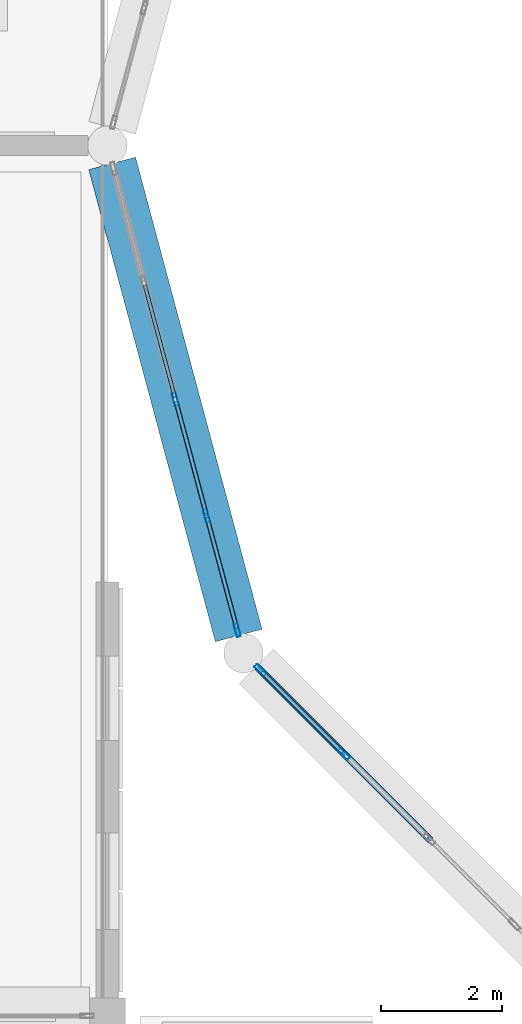
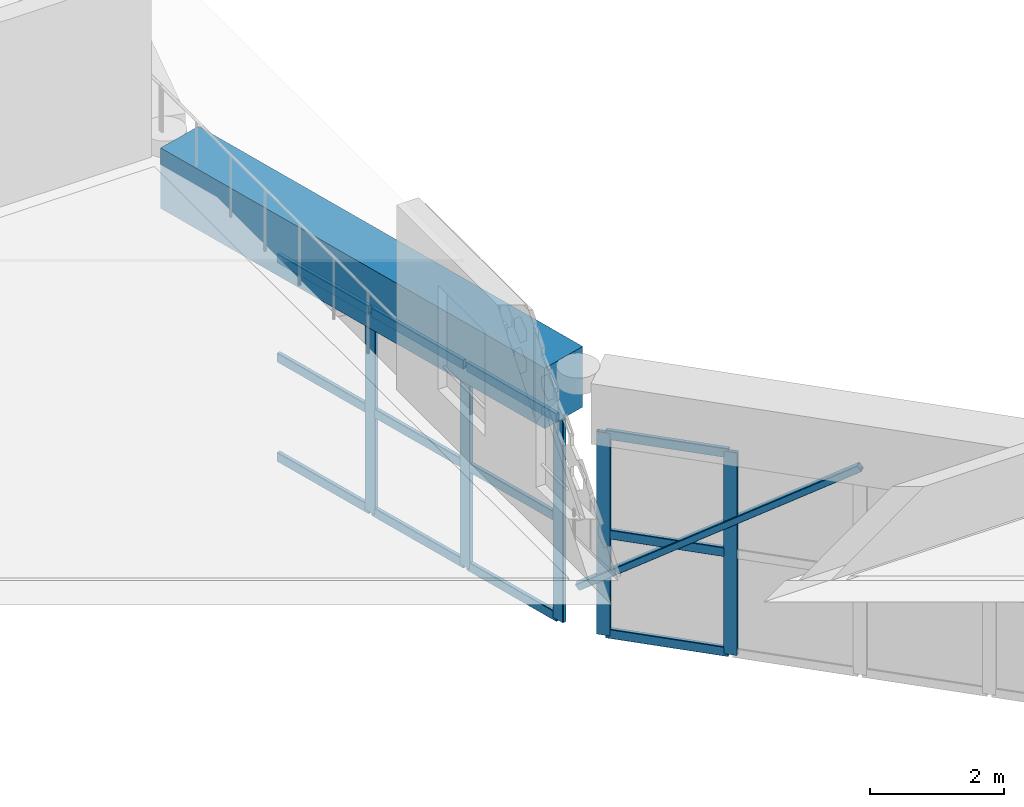
# One storey, part 15 of 48: 18 members, 1 beam, 2 elements without a shape of their own.
"""IFC4 building model written with IfcOpenShell, lengths in metres."""

from ifc_helpers import new_model, si_unit, derived_unit, direction, frame, origin, origin_2d, place, context, subcontext, project, spatial, rectangle, hollow_rectangle, extrude, material, material_profile, profile_set, type_object, element, aggregate, save


model = new_model("IFC4")

# Units and contexts
model_context = context("Model", 3, precision=1e-05, world=origin(), true_north=direction((0.0, 1.0)))
body_context = subcontext(model_context, "Body", "Model", "MODEL_VIEW")
ifc_project = project(units=[si_unit("LENGTHUNIT", "METRE"), si_unit("AREAUNIT", "SQUARE_METRE"), si_unit("VOLUMEUNIT", "CUBIC_METRE"), si_unit("PLANEANGLEUNIT", "RADIAN"), si_unit("MASSUNIT", "GRAM", prefix="KILO"), derived_unit("THERMALTRANSMITTANCEUNIT", [(si_unit("POWERUNIT", "WATT"), 1), (si_unit("LENGTHUNIT", "METRE"), -2), (si_unit("THERMODYNAMICTEMPERATUREUNIT", "KELVIN"), -1)])], contexts=[model_context])

# Site, building, storey
site_placement = place(None, origin())
site = spatial("IfcSite", under=ifc_project, at=site_placement, CompositionType="ELEMENT")
building_placement = place(site_placement, origin())
building = spatial("IfcBuilding", under=site, at=building_placement, Name="Veybourne Emporium", CompositionType="ELEMENT")
storey_placement = place(building_placement, frame((0.0, 0.0, 27.89990234375)))
storey = spatial("IfcBuildingStorey", under=building, at=storey_placement, Name="L06", CompositionType="ELEMENT", Elevation=27.89990234375)

# Curtain wall, members
ifc_material_1 = material(Name="Patinated Architectural Bronze", Category="bronze")
curtain_wall_type_1 = type_object("IfcCurtainWallType", Name="CWSystem_CWS-27", PredefinedType="NOTDEFINED", material=ifc_material_1)
curtain_wall_1_placement = place(storey_placement, origin())
curtain_wall_1 = element("IfcCurtainWall", 1, at=curtain_wall_1_placement, inside=storey, type_object=curtain_wall_type_1, Name="Atrium drum clerestory curtain wall 07", PredefinedType="NOTDEFINED")
ifc_material_profile_1 = material_profile(ifc_material_1, hollow_rectangle(XDim=0.070068359375, YDim=0.219970703125, WallThickness=0.0048828125, InnerFilletRadius=0.007568359375, OuterFilletRadius=0.012451171875, at=origin_2d()), Name="CWM 70x220x5")
ifc_profile_set_1 = profile_set([ifc_material_profile_1], Name="Patinated Architectural Bronze")
member_type_1 = type_object("IfcMemberType", Name="CWMullion_CW-M4", PredefinedType="MULLION", material=ifc_profile_set_1)
member_1_placement = place(storey_placement, frame((59.92529296875, 46.199951171875, -4.5), z_axis=(0.0, 0.0, 1.0), x_axis=(0.965925678069, 0.258819598266, 0.0)))
member_1 = element("IfcMember", 2, at=member_1_placement, type_object=member_type_1, Name="CWS-27 mullion 3", PredefinedType="MULLION", context=body_context, shape_type="SweptSolid", body=[
    extrude(hollow_rectangle(XDim=0.070068359375, YDim=0.219970703125, WallThickness=0.0048828125, InnerFilletRadius=0.007568359375, OuterFilletRadius=0.012451171875, at=origin_2d()), origin(), (0.0, 0.0, 1.0), 3.68017578125),
])
member_2_placement = place(storey_placement, frame((60.44140625, 44.27392578125, -4.5), z_axis=(0.0, 0.0, 1.0), x_axis=(0.965925678069, 0.258819598266, 0.0)))
member_2 = element("IfcMember", 3, at=member_2_placement, type_object=member_type_1, Name="CWS-27 mullion 4", PredefinedType="MULLION", context=body_context, shape_type="SweptSolid", body=[
    extrude(hollow_rectangle(XDim=0.070068359375, YDim=0.219970703125, WallThickness=0.0048828125, InnerFilletRadius=0.007568359375, OuterFilletRadius=0.012451171875, at=origin_2d()), origin(), (0.0, 0.0, 1.0), 3.68017578125),
])
member_3_placement = place(storey_placement, frame((60.948486328125, 42.381591796875, -4.5), z_axis=(0.0, 0.0, 1.0), x_axis=(0.965925678069, 0.258819598266, 0.0)))
member_3 = element("IfcMember", 4, at=member_3_placement, type_object=member_type_1, Name="CWS-27 mullion 5", PredefinedType="MULLION", context=body_context, shape_type="SweptSolid", body=[
    extrude(hollow_rectangle(XDim=0.070068359375, YDim=0.219970703125, WallThickness=0.0048828125, InnerFilletRadius=0.007568359375, OuterFilletRadius=0.012451171875, at=origin_2d()), origin(), (0.0, 0.0, 1.0), 3.68017578125),
])

curtain_wall_type_2 = type_object("IfcCurtainWallType", Name="CWSystem_CWS-28", PredefinedType="NOTDEFINED", material=ifc_material_1)
curtain_wall_2_placement = place(storey_placement, origin())
curtain_wall_2 = element("IfcCurtainWall", 5, at=curtain_wall_2_placement, inside=storey, type_object=curtain_wall_type_2, Name="Atrium drum clerestory curtain wall 08", PredefinedType="NOTDEFINED")
member_4_placement = place(storey_placement, frame((61.330078125, 41.720703125, -4.5), z_axis=(0.0, 0.0, 1.0), x_axis=(0.707106781187, 0.707106781187, 0.0)))
member_4 = element("IfcMember", 6, at=member_4_placement, type_object=member_type_1, Name="CWS-28 mullion 1", PredefinedType="MULLION", context=body_context, shape_type="SweptSolid", body=[
    extrude(hollow_rectangle(XDim=0.070068359375, YDim=0.219970703125, WallThickness=0.0048828125, InnerFilletRadius=0.007568359375, OuterFilletRadius=0.012451171875, at=origin_2d()), origin(), (0.0, 0.0, 1.0), 3.68017578125),
])
member_5_placement = place(storey_placement, frame((62.71533203125, 40.33544921875, -4.5), z_axis=(0.0, 0.0, 1.0), x_axis=(0.707106781187, 0.707106781187, 0.0)))
member_5 = element("IfcMember", 7, at=member_5_placement, type_object=member_type_1, Name="CWS-28 mullion 2", PredefinedType="MULLION", context=body_context, shape_type="SweptSolid", body=[
    extrude(hollow_rectangle(XDim=0.070068359375, YDim=0.219970703125, WallThickness=0.0048828125, InnerFilletRadius=0.007568359375, OuterFilletRadius=0.012451171875, at=origin_2d()), origin(), (0.0, 0.0, 1.0), 3.68017578125),
])

# Member
ifc_material_profile_2 = material_profile(ifc_material_1, hollow_rectangle(XDim=0.070068359375, YDim=0.169921875, WallThickness=0.0048828125, InnerFilletRadius=0.007568359375, OuterFilletRadius=0.012451171875, at=origin_2d()), Name="CWT 70x170x5")
ifc_profile_set_2 = profile_set([ifc_material_profile_2], Name="Patinated Architectural Bronze")
member_type_2 = type_object("IfcMemberType", Name="CWTransom_CW-T4", PredefinedType="NOTDEFINED", material=ifc_profile_set_2)
member_6_placement = place(storey_placement, frame((59.41845703125, 48.09228515625, -4.46484375), z_axis=(0.258744542548, -0.965945786109, 0.0), x_axis=(0.965945786109, 0.258744542548, 0.0)))
member_6 = element("IfcMember", 8, at=member_6_placement, type_object=member_type_2, Name="CWS-27 transom 2.1", ObjectType="TRANSOM", PredefinedType="USERDEFINED", context=body_context, shape_type="SweptSolid", body=[
    extrude(hollow_rectangle(XDim=0.070068359375, YDim=0.169921875, WallThickness=0.0048828125, InnerFilletRadius=0.007568359375, OuterFilletRadius=0.012451171875, at=origin_2d()), origin(), (0.0, 0.0, 1.0), 1.923828125),
])

member_7_placement = place(storey_placement, frame((59.41845703125, 48.09228515625, -2.659912109375), z_axis=(0.258744542548, -0.965945786109, 0.0), x_axis=(0.965945786109, 0.258744542548, 0.0)))
member_7 = element("IfcMember", 9, at=member_7_placement, type_object=member_type_2, Name="CWS-27 transom 2.2", ObjectType="TRANSOM", PredefinedType="USERDEFINED", context=body_context, shape_type="SweptSolid", body=[
    extrude(hollow_rectangle(XDim=0.070068359375, YDim=0.169921875, WallThickness=0.0048828125, InnerFilletRadius=0.007568359375, OuterFilletRadius=0.012451171875, at=origin_2d()), origin(), (0.0, 0.0, 1.0), 1.923828125),
])

member_8_placement = place(storey_placement, frame((59.41845703125, 48.09228515625, -0.85498046875), z_axis=(0.258744542548, -0.965945786109, 0.0), x_axis=(0.965945786109, 0.258744542548, 0.0)))
member_8 = element("IfcMember", 10, at=member_8_placement, type_object=member_type_2, Name="CWS-27 transom 2.3", ObjectType="TRANSOM", PredefinedType="USERDEFINED", context=body_context, shape_type="SweptSolid", body=[
    extrude(hollow_rectangle(XDim=0.070068359375, YDim=0.169921875, WallThickness=0.0048828125, InnerFilletRadius=0.007568359375, OuterFilletRadius=0.012451171875, at=origin_2d()), origin(), (0.0, 0.0, 1.0), 1.923828125),
])

member_9_placement = place(storey_placement, frame((59.934326171875, 46.166259765625, -4.46484375), z_axis=(0.258831214191, -0.965922565509, 0.0), x_axis=(0.965922565509, 0.258831214191, 0.0)))
member_9 = element("IfcMember", 11, at=member_9_placement, type_object=member_type_2, Name="CWS-27 transom 3.1", ObjectType="TRANSOM", PredefinedType="USERDEFINED", context=body_context, shape_type="SweptSolid", body=[
    extrude(hollow_rectangle(XDim=0.070068359375, YDim=0.169921875, WallThickness=0.0048828125, InnerFilletRadius=0.007568359375, OuterFilletRadius=0.012451171875, at=origin_2d()), origin(), (0.0, 0.0, 1.0), 1.92431640625),
])

member_10_placement = place(storey_placement, frame((59.934326171875, 46.166259765625, -2.659912109375), z_axis=(0.258831214191, -0.965922565509, 0.0), x_axis=(0.965922565509, 0.258831214191, 0.0)))
member_10 = element("IfcMember", 12, at=member_10_placement, type_object=member_type_2, Name="CWS-27 transom 3.2", ObjectType="TRANSOM", PredefinedType="USERDEFINED", context=body_context, shape_type="SweptSolid", body=[
    extrude(hollow_rectangle(XDim=0.070068359375, YDim=0.169921875, WallThickness=0.0048828125, InnerFilletRadius=0.007568359375, OuterFilletRadius=0.012451171875, at=origin_2d()), origin(), (0.0, 0.0, 1.0), 1.92431640625),
])

member_11_placement = place(storey_placement, frame((59.934326171875, 46.166259765625, -0.85498046875), z_axis=(0.258831214191, -0.965922565509, 0.0), x_axis=(0.965922565509, 0.258831214191, 0.0)))
member_11 = element("IfcMember", 13, at=member_11_placement, type_object=member_type_2, Name="CWS-27 transom 3.3", ObjectType="TRANSOM", PredefinedType="USERDEFINED", context=body_context, shape_type="SweptSolid", body=[
    extrude(hollow_rectangle(XDim=0.070068359375, YDim=0.169921875, WallThickness=0.0048828125, InnerFilletRadius=0.007568359375, OuterFilletRadius=0.012451171875, at=origin_2d()), origin(), (0.0, 0.0, 1.0), 1.92431640625),
])

member_12_placement = place(storey_placement, frame((60.450439453125, 44.239990234375, -4.46484375), z_axis=(0.258860974636, -0.965914590329, 0.0), x_axis=(0.965914590329, 0.258860974636, 0.0)))
member_12 = element("IfcMember", 14, at=member_12_placement, type_object=member_type_2, Name="CWS-27 transom 4.1", ObjectType="TRANSOM", PredefinedType="USERDEFINED", context=body_context, shape_type="SweptSolid", body=[
    extrude(hollow_rectangle(XDim=0.070068359375, YDim=0.169921875, WallThickness=0.0048828125, InnerFilletRadius=0.007568359375, OuterFilletRadius=0.012451171875, at=origin_2d()), origin(), (0.0, 0.0, 1.0), 1.88916015625),
])

member_13_placement = place(storey_placement, frame((60.450439453125, 44.239990234375, -2.659912109375), z_axis=(0.258860974636, -0.965914590329, 0.0), x_axis=(0.965914590329, 0.258860974636, 0.0)))
member_13 = element("IfcMember", 15, at=member_13_placement, type_object=member_type_2, Name="CWS-27 transom 4.2", ObjectType="TRANSOM", PredefinedType="USERDEFINED", context=body_context, shape_type="SweptSolid", body=[
    extrude(hollow_rectangle(XDim=0.070068359375, YDim=0.169921875, WallThickness=0.0048828125, InnerFilletRadius=0.007568359375, OuterFilletRadius=0.012451171875, at=origin_2d()), origin(), (0.0, 0.0, 1.0), 1.88916015625),
])

member_14_placement = place(storey_placement, frame((60.450439453125, 44.239990234375, -0.85498046875), z_axis=(0.258860974636, -0.965914590329, 0.0), x_axis=(0.965914590329, 0.258860974636, 0.0)))
member_14 = element("IfcMember", 16, at=member_14_placement, type_object=member_type_2, Name="CWS-27 transom 4.3", ObjectType="TRANSOM", PredefinedType="USERDEFINED", context=body_context, shape_type="SweptSolid", body=[
    extrude(hollow_rectangle(XDim=0.070068359375, YDim=0.169921875, WallThickness=0.0048828125, InnerFilletRadius=0.007568359375, OuterFilletRadius=0.012451171875, at=origin_2d()), origin(), (0.0, 0.0, 1.0), 1.88916015625),
])

aggregate(curtain_wall_1, [member_1, member_2, member_3, member_6, member_7, member_8, member_9, member_10, member_11, member_12, member_13, member_14])

member_15_placement = place(storey_placement, frame((61.354736328125, 41.696044921875, -4.46484375), z_axis=(0.707106781187, -0.707106781187, 0.0), x_axis=(0.707106781187, 0.707106781187, 0.0)))
member_15 = element("IfcMember", 17, at=member_15_placement, type_object=member_type_2, Name="CWS-28 transom 1.1", ObjectType="TRANSOM", PredefinedType="USERDEFINED", context=body_context, shape_type="SweptSolid", body=[
    extrude(hollow_rectangle(XDim=0.070068359375, YDim=0.169921875, WallThickness=0.0048828125, InnerFilletRadius=0.007568359375, OuterFilletRadius=0.012451171875, at=origin_2d()), origin(), (0.0, 0.0, 1.0), 1.889404296875),
])

member_16_placement = place(storey_placement, frame((61.354736328125, 41.696044921875, -2.659912109375), z_axis=(0.707106781187, -0.707106781187, 0.0), x_axis=(0.707106781187, 0.707106781187, 0.0)))
member_16 = element("IfcMember", 18, at=member_16_placement, type_object=member_type_2, Name="CWS-28 transom 1.2", ObjectType="TRANSOM", PredefinedType="USERDEFINED", context=body_context, shape_type="SweptSolid", body=[
    extrude(hollow_rectangle(XDim=0.070068359375, YDim=0.169921875, WallThickness=0.0048828125, InnerFilletRadius=0.007568359375, OuterFilletRadius=0.012451171875, at=origin_2d()), origin(), (0.0, 0.0, 1.0), 1.889404296875),
])

member_17_placement = place(storey_placement, frame((61.354736328125, 41.696044921875, -0.85498046875), z_axis=(0.707106781187, -0.707106781187, 0.0), x_axis=(0.707106781187, 0.707106781187, 0.0)))
member_17 = element("IfcMember", 19, at=member_17_placement, type_object=member_type_2, Name="CWS-28 transom 1.3", ObjectType="TRANSOM", PredefinedType="USERDEFINED", context=body_context, shape_type="SweptSolid", body=[
    extrude(hollow_rectangle(XDim=0.070068359375, YDim=0.169921875, WallThickness=0.0048828125, InnerFilletRadius=0.007568359375, OuterFilletRadius=0.012451171875, at=origin_2d()), origin(), (0.0, 0.0, 1.0), 1.889404296875),
])

aggregate(curtain_wall_2, [member_4, member_5, member_15, member_16, member_17])

# Beam
ifc_material_2 = material(Name="Concrete C40/50", Category="concrete")
ifc_material_profile_3 = material_profile(ifc_material_2, rectangle(XDim=0.800048828125, YDim=1.10009765625, at=origin_2d()), Name="RC 800x1100")
ifc_profile_set_3 = profile_set([ifc_material_profile_3], Name="Concrete C40/50")
beam_type = type_object("IfcBeamType", Name="RCBeam_RB-01", PredefinedType="BEAM", material=ifc_profile_set_3)
beam_placement = place(storey_placement, frame((58.87890625, 50.10546875, -0.25), z_axis=(0.258833171555, -0.965922041007, 0.0), x_axis=(0.965922041007, 0.258833171555, 0.0)))
element("IfcBeam", 20, at=beam_placement, inside=storey, type_object=beam_type, Name="Atrium ring beam RB-01 L06-07", PredefinedType="BEAM", context=body_context, shape_type="SweptSolid", body=[
    extrude(rectangle(XDim=0.800048828125, YDim=1.10009765625, at=origin_2d()), origin(), (0.0, 0.0, 1.0), 8.08642578125),
])

# Member
ifc_material_3 = material(Name="Steel S355", Category="steel")
ifc_material_profile_4 = material_profile(ifc_material_3, hollow_rectangle(XDim=0.1201171875, YDim=0.1201171875, WallThickness=0.00634765625, InnerFilletRadius=0.009521484375, OuterFilletRadius=0.015869140625, at=origin_2d()), Name="SHS 120x120x6.3")
ifc_profile_set_4 = profile_set([ifc_material_profile_4], Name="Steel S355")
member_type_3 = type_object("IfcMemberType", Name="SteelMem_CS-02", PredefinedType="STRUT", material=ifc_profile_set_4)
member_18_placement = place(storey_placement, frame((61.05078125, 42.0, -3.699951171875), z_axis=(0.585155983126, -0.585155983126, 0.561413351128), x_axis=(0.707106781187, 0.707106781187, 0.0)))
element("IfcMember", 21, at=member_18_placement, inside=storey, type_object=member_type_3, Name="Drum clerestory diagonal strut 08", PredefinedType="STRUT", context=body_context, shape_type="SweptSolid", body=[
    extrude(hollow_rectangle(XDim=0.1201171875, YDim=0.1201171875, WallThickness=0.00634765625, InnerFilletRadius=0.009521484375, OuterFilletRadius=0.015869140625, at=origin_2d()), origin(), (0.0, 0.0, 1.0), 5.25439453125),
])

save(model, "model.ifc")
